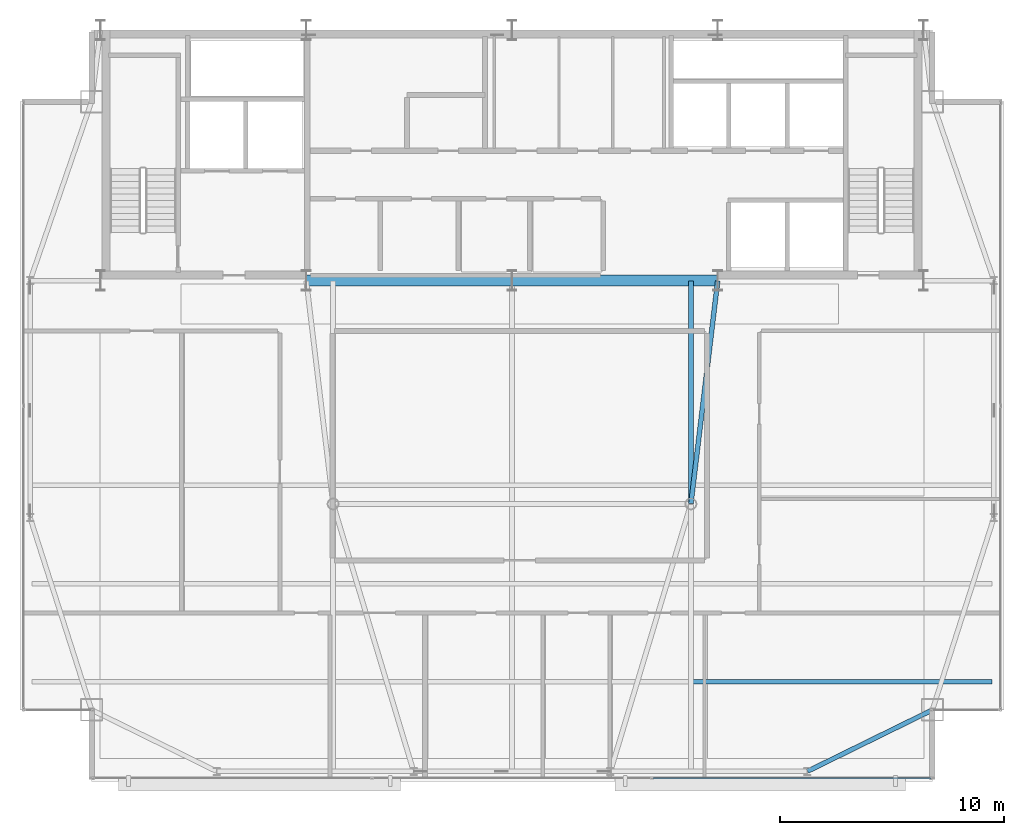
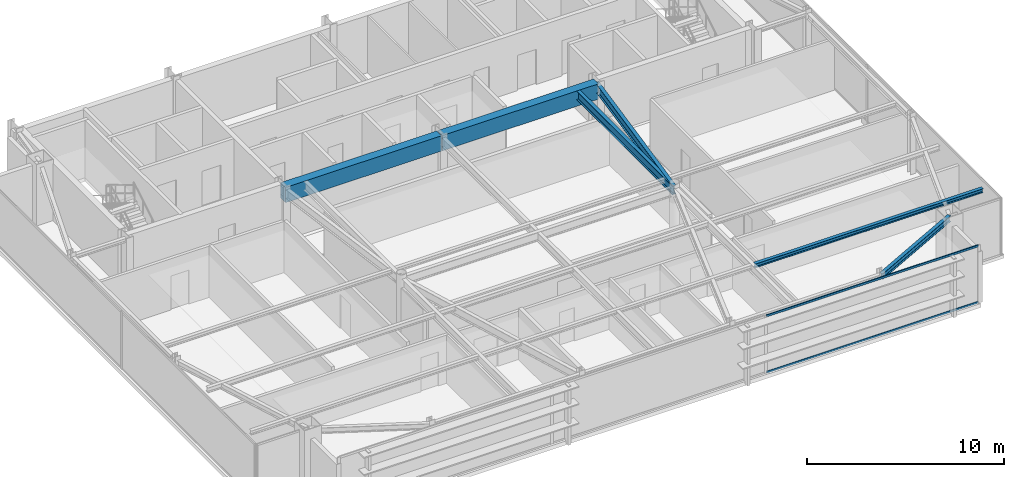
# One storey, part 13 of 24: 6 beams, 2 members, 1 element without a shape of its own.
"""IFC4 building model written with IfcOpenShell, lengths in metres."""

from ifc_helpers import new_model, si_unit, direction, frame, origin, origin_2d, place, context, subcontext, project, spatial, rectangle, hollow_rectangle, i_section, extrude, source, transform, mapped, material, layer, layer_set, material_profile, profile_set, type_object, type_shapes, element, aggregate, save


model = new_model("IFC4")

# Units and contexts
model_context = context("Model", 3, precision=1e-05, world=origin(), true_north=direction((0.0, 1.0)))
body_context = subcontext(model_context, "Body", "Model", "MODEL_VIEW")
ifc_project = project(units=[si_unit("LENGTHUNIT", "METRE"), si_unit("AREAUNIT", "SQUARE_METRE"), si_unit("VOLUMEUNIT", "CUBIC_METRE"), si_unit("PLANEANGLEUNIT", "RADIAN"), si_unit("MASSUNIT", "GRAM", prefix="KILO")], contexts=[model_context])

# Site, building, storey
site_placement = place(None, origin())
site = spatial("IfcSite", under=ifc_project, at=site_placement, CompositionType="ELEMENT")
building_placement = place(site_placement, origin())
building = spatial("IfcBuilding", under=site, at=building_placement, Name="Varnel Quay Broadcast Tower", CompositionType="ELEMENT")
storey_placement = place(building_placement, frame((0.0, 0.0, 292.60009765625)))
storey = spatial("IfcBuildingStorey", under=building, at=storey_placement, Name="L73", CompositionType="ELEMENT", Elevation=292.60009765625)

# Beams
ifc_material_1 = material(Name="Concrete CSA A23.3 C50/60", Category="concrete")
ifc_material_profile_1 = material_profile(ifc_material_1, rectangle(XDim=0.5, YDim=0.949951171875, at=origin_2d()), Name="RC500X950")
ifc_profile_set_1 = profile_set([ifc_material_profile_1], Name="Concrete CSA A23.3 C50/60")
beam_type_1 = type_object("IfcBeamType", Name="Beam_RC500X950", PredefinedType="BEAM", material=ifc_profile_set_1)
shared_shape_1 = source(origin(), body_context, "Body", "SweptSolid", [
    extrude(rectangle(XDim=0.5, YDim=0.949951171875, at=origin_2d()), origin(), (0.0, 0.0, 1.0), 9.159912109375),
])
type_shapes(beam_type_1, [shared_shape_1])
for number, where, z_axis, x_axis, name in (
    (1, (24.820068359375, 35.60009765625, 3.074951171875), (1.0, 0.0, 0.0), (0.0, 1.0, 0.0), "L73 Core Coupling Beam W"),
    (2, (34.02001953125, 35.60009765625, 3.074951171875), (1.0, 0.0, 0.0), (0.0, 1.0, 0.0), "L73 Core Coupling Beam E"),
):
    element("IfcBeam", number, at=place(storey_placement, frame(where, z_axis=z_axis, x_axis=x_axis)), inside=storey, type_object=beam_type_1, Name=name, PredefinedType="BEAM", context=body_context, shape_type="MappedRepresentation", body=[
        mapped(shared_shape_1, transform((0.0, 0.0, 0.0), x_axis=(1.0, 0.0, 0.0), y_axis=(0.0, 1.0, 0.0), z_axis=(0.0, 0.0, 1.0), scale=1.0)),
    ])
ifc_material_2 = material(Name="Structural Steel CSA G40.21 350W", Category="steel")
ifc_material_profile_2 = material_profile(ifc_material_2, i_section(OverallWidth=0.205078125, OverallDepth=0.35400390625, WebThickness=0.009521484375, FlangeThickness=0.016845703125, FilletRadius=0.012939453125, at=origin_2d()), Name="W360X79")
ifc_profile_set_2 = profile_set([ifc_material_profile_2], Name="Structural Steel CSA G40.21 350W")
beam_type_2 = type_object("IfcBeamType", Name="Beam_W360X79", PredefinedType="SPANDREL", material=ifc_profile_set_2)
shared_shape_2 = source(origin(), body_context, "Body", "SweptSolid", [
    extrude(i_section(OverallWidth=0.205078125, OverallDepth=0.35400390625, WebThickness=0.009521484375, FlangeThickness=0.016845703125, FilletRadius=0.012939453125, at=origin_2d()), origin(), (0.0, 0.0, 1.0), 6.19873046875),
])
type_shapes(beam_type_2, [shared_shape_2])
beam_1_placement = place(storey_placement, frame((47.218017578125, 13.65869140625, 3.372802734375), z_axis=(0.897602447358, 0.440805905697, 0.0), x_axis=(-0.440805905697, 0.897602447358, 0.0)))
element("IfcBeam", 3, at=beam_1_placement, inside=storey, type_object=beam_type_2, Name="L73 South Spandrel TC-S4-MC-SE", PredefinedType="SPANDREL", context=body_context, shape_type="MappedRepresentation", body=[
    mapped(shared_shape_2, transform((0.0, 0.0, 0.0), x_axis=(1.0, 0.0, 0.0), y_axis=(0.0, 1.0, 0.0), z_axis=(0.0, 0.0, 1.0), scale=1.0)),
])
ifc_material_profile_3 = material_profile(ifc_material_2, i_section(OverallWidth=0.2119140625, OverallDepth=0.5439453125, WebThickness=0.01318359375, FlangeThickness=0.021240234375, FilletRadius=0.013916015625, at=origin_2d()), Name="W530X123")
ifc_profile_set_3 = profile_set([ifc_material_profile_3], Name="Structural Steel CSA G40.21 350W")
beam_type_3 = type_object("IfcBeamType", Name="Girder_W530X123", PredefinedType="BEAM", material=ifc_profile_set_3)
shared_shape_3 = source(origin(), body_context, "Body", "SweptSolid", [
    extrude(i_section(OverallWidth=0.2119140625, OverallDepth=0.5439453125, WebThickness=0.01318359375, FlangeThickness=0.021240234375, FilletRadius=0.013916015625, at=origin_2d()), origin(), (0.0, 0.0, 1.0), 10.021728515625),
])
beam_2_placement = place(storey_placement, frame((42.00244140625, 25.6298828125, 3.27783203125), z_axis=(0.119248005741, 0.992864498875, 0.0), x_axis=(-0.992864498875, 0.119248005741, 0.0)))
element("IfcBeam", 4, at=beam_2_placement, inside=storey, type_object=beam_type_3, Name="L73 Primary Girder IC-02-CC-S4", PredefinedType="BEAM", context=body_context, shape_type="MappedRepresentation", body=[
    mapped(shared_shape_3, transform((0.0, 0.0, 0.0), x_axis=(1.0, 0.0, 0.0), y_axis=(0.0, 1.0, 0.0), z_axis=(0.0, 0.0, 1.0), scale=1.0)),
])
shared_shape_4 = source(origin(), body_context, "Body", "SweptSolid", [
    extrude(i_section(OverallWidth=0.2119140625, OverallDepth=0.5439453125, WebThickness=0.01318359375, FlangeThickness=0.021240234375, FilletRadius=0.013916015625, at=origin_2d()), origin(), (0.0, 0.0, 1.0), 9.9501953125),
])
type_shapes(beam_type_3, [shared_shape_3, shared_shape_4])
beam_3_placement = place(storey_placement, frame((42.0, 25.6298828125, 3.27783203125), z_axis=(0.0, 1.0, 0.0), x_axis=(-1.0, 0.0, 0.0)))
element("IfcBeam", 5, at=beam_3_placement, inside=storey, type_object=beam_type_3, Name="L73 N-S Joist Header IC-02N", PredefinedType="BEAM", context=body_context, shape_type="MappedRepresentation", body=[
    mapped(shared_shape_4, transform((0.0, 0.0, 0.0), x_axis=(1.0, 0.0, 0.0), y_axis=(0.0, 1.0, 0.0), z_axis=(0.0, 0.0, 1.0), scale=1.0)),
])
ifc_material_profile_4 = material_profile(ifc_material_2, i_section(OverallWidth=0.201904296875, OverallDepth=0.2470703125, WebThickness=0.00732421875, FlangeThickness=0.010986328125, FilletRadius=0.010986328125, at=origin_2d()), Name="W250X49")
ifc_profile_set_4 = profile_set([ifc_material_profile_4], Name="Structural Steel CSA G40.21 350W")
beam_type_4 = type_object("IfcBeamType", Name="Beam_W250X49", PredefinedType="JOIST", material=ifc_profile_set_4)
shared_shape_5 = source(origin(), body_context, "Body", "SweptSolid", [
    extrude(i_section(OverallWidth=0.201904296875, OverallDepth=0.2470703125, WebThickness=0.00732421875, FlangeThickness=0.010986328125, FilletRadius=0.010986328125, at=origin_2d()), origin(), (0.0, 0.0, 1.0), 13.351318359375),
])
type_shapes(beam_type_4, [shared_shape_5])
beam_4_placement = place(storey_placement, frame((42.10107421875, 17.64990234375, 3.426513671875), z_axis=(1.0, 0.0, 0.0), x_axis=(0.0, 1.0, 0.0)))
element("IfcBeam", 6, at=beam_4_placement, inside=storey, type_object=beam_type_4, Name="L73 East Floor Joist 1", PredefinedType="JOIST", context=body_context, shape_type="MappedRepresentation", body=[
    mapped(shared_shape_5, transform((0.0, 0.0, 0.0), x_axis=(1.0, 0.0, 0.0), y_axis=(0.0, 1.0, 0.0), z_axis=(0.0, 0.0, 1.0), scale=1.0)),
])

# Curtain wall, members
ifc_material_3 = material(Name="Anodised Bronze Aluminium 6063-T6", Category="aluminium")
ifc_layer = layer(ifc_material_3, 0.18994140625, Name="Anodised Bronze Aluminium 6063-T6")
ifc_layer_set = layer_set([ifc_layer], Name="Anodised Bronze Aluminium 6063-T6")
curtain_wall_type = type_object("IfcCurtainWallType", Name="CW_UpperTower", PredefinedType="NOTDEFINED", material=ifc_layer_set)
curtain_wall_placement = place(storey_placement, origin())
curtain_wall = element("IfcCurtainWall", 7, at=curtain_wall_placement, inside=storey, type_object=curtain_wall_type, Name="L73 South Unitised Curtain Wall 1", PredefinedType="NOTDEFINED")
ifc_material_profile_5 = material_profile(ifc_material_3, hollow_rectangle(XDim=0.06005859375, YDim=0.125, WallThickness=0.0029296875, at=origin_2d()), Name="ALU60X125X3")
ifc_profile_set_5 = profile_set([ifc_material_profile_5], Name="Anodised Bronze Aluminium 6063-T6")
member_type = type_object("IfcMemberType", Name="Tran_CWS-03", PredefinedType="USERDEFINED", material=ifc_profile_set_5)
shared_shape_6 = source(origin(), body_context, "Body", "SweptSolid", [
    extrude(hollow_rectangle(XDim=0.06005859375, YDim=0.125, WallThickness=0.0029296875, at=origin_2d()), origin(), (0.0, 0.0, 1.0), 12.43603515625),
])
type_shapes(member_type, [shared_shape_6])
member_1_placement = place(storey_placement, frame((40.299072265625, 13.35009765625, 0.02978515625), z_axis=(1.0, 0.0, 0.0), x_axis=(0.0, 1.0, 0.0)))
member_1 = element("IfcMember", 8, at=member_1_placement, type_object=member_type, Name="CWS-03 transom 3.1", ObjectType="TRANSOM", PredefinedType="USERDEFINED", context=body_context, shape_type="MappedRepresentation", body=[
    mapped(shared_shape_6, transform((0.0, 0.0, 0.0), x_axis=(1.0, 0.0, 0.0), y_axis=(0.0, 1.0, 0.0), z_axis=(0.0, 0.0, 1.0), scale=1.0)),
])
member_2_placement = place(storey_placement, frame((40.299072265625, 13.35009765625, 3.52001953125), z_axis=(1.0, 0.0, 0.0), x_axis=(0.0, 1.0, 0.0)))
member_2 = element("IfcMember", 9, at=member_2_placement, type_object=member_type, Name="CWS-03 transom 3.2", ObjectType="TRANSOM", PredefinedType="USERDEFINED", context=body_context, shape_type="MappedRepresentation", body=[
    mapped(shared_shape_6, transform((0.0, 0.0, 0.0), x_axis=(1.0, 0.0, 0.0), y_axis=(0.0, 1.0, 0.0), z_axis=(0.0, 0.0, 1.0), scale=1.0)),
])
aggregate(curtain_wall, [member_1, member_2])

save(model, "model.ifc")
